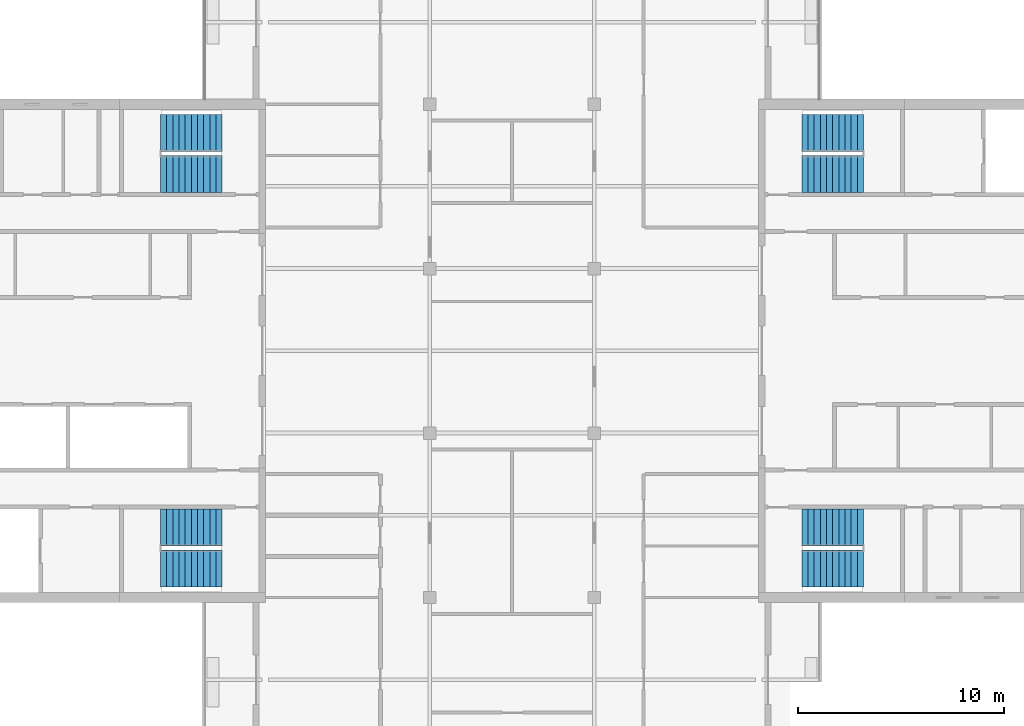
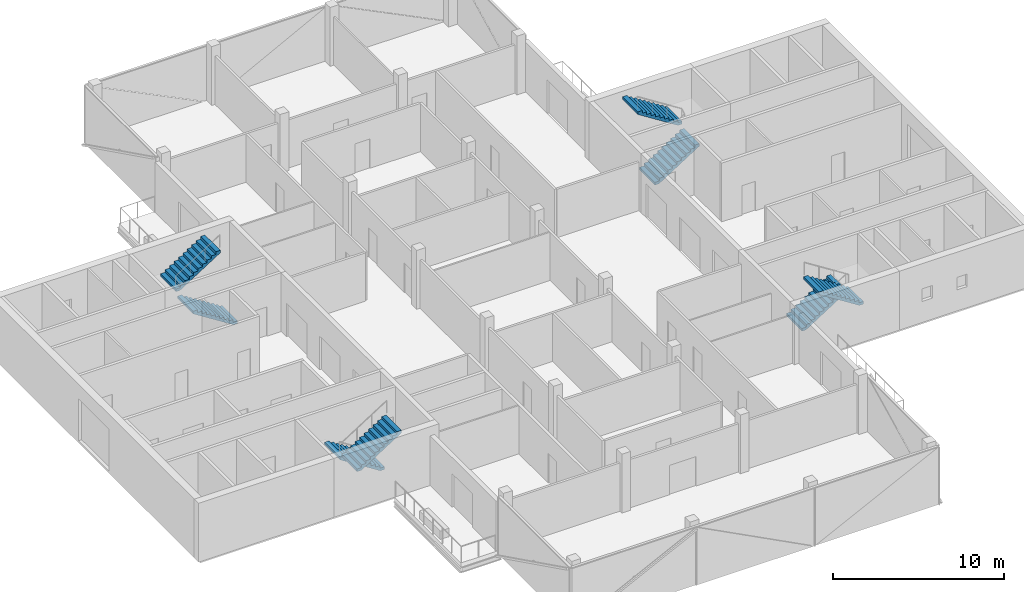
# One storey, part 9 of 12: 8 stair flights, 4 elements without a shape of their own.
"""IFC4 building model written with IfcOpenShell, lengths in metres."""

from ifc_helpers import new_model, si_unit, direction, frame, origin, place, context, subcontext, project, spatial, polyline, outline, extrude, material, type_object, element, aggregate, save


model = new_model("IFC4")

# Units and contexts
model_context = context("Model", 3, precision=1e-05, world=origin(), true_north=direction((0.0, 1.0)))
body_context = subcontext(model_context, "Body", "Model", "MODEL_VIEW")
ifc_project = project(units=[si_unit("LENGTHUNIT", "METRE"), si_unit("AREAUNIT", "SQUARE_METRE"), si_unit("VOLUMEUNIT", "CUBIC_METRE"), si_unit("PLANEANGLEUNIT", "RADIAN"), si_unit("MASSUNIT", "GRAM", prefix="KILO")], contexts=[model_context])

# Site, building, storey
site_placement = place(None, origin())
site = spatial("IfcSite", under=ifc_project, at=site_placement, CompositionType="ELEMENT")
building_placement = place(site_placement, origin())
building = spatial("IfcBuilding", under=site, at=building_placement, Name="Crosswind Convention Tower", CompositionType="ELEMENT")
storey_placement = place(building_placement, frame((0.0, 0.0, 311.300048828125)))
storey = spatial("IfcBuildingStorey", under=building, at=storey_placement, Name="L67", CompositionType="ELEMENT", Elevation=311.300048828125)

# Stair, stair flights
ifc_material = material(Name="Concrete C40/50", Category="concrete")
stair_type = type_object("IfcStairType", Name="Exit stair 1800 wide, 2 flights of 11 risers", PredefinedType="HALF_TURN_STAIR", material=ifc_material)
stair_1_placement = place(storey_placement, origin())
stair_1 = element("IfcStair", 1, at=stair_1_placement, inside=storey, type_object=stair_type, Name="Exit stair ST1 L67", ObjectType="ST5", PredefinedType="HALF_TURN_STAIR")
stair_flight_type = type_object("IfcStairFlightType", Name="Stair flight 1800 wide, 11 risers (SF4)", PredefinedType="STRAIGHT", material=ifc_material)
stair_flight_1_placement = place(storey_placement, frame((139.10009765625, 108.60009765625, 0.0), z_axis=(0.0, 0.0, 1.0), x_axis=(1.0, 0.0, 0.0)))
stair_flight_1 = element("IfcStairFlight", 2, at=stair_flight_1_placement, type_object=stair_flight_type, Name="ST1 flight 1", NumberOfRisers=11, NumberOfTreads=10, PredefinedType="STRAIGHT", RiserHeight=0.190909091, TreadLength=0.3, context=body_context, shape_type="SweptSolid", body=[
    extrude(outline(polyline([(0.0, 0.0), (0.0, 0.19091796875), (0.300048828125, 0.19091796875), (0.300048828125, 0.3818359375), (0.60009765625, 0.3818359375), (0.60009765625, 0.57275390625), (0.89990234375, 0.57275390625), (0.89990234375, 0.763671875), (1.199951171875, 0.763671875), (1.199951171875, 0.95458984375), (1.5, 0.95458984375), (1.5, 1.1455078125), (1.800048828125, 1.1455078125), (1.800048828125, 1.33642578125), (2.10009765625, 1.33642578125), (2.10009765625, 1.52734375), (2.39990234375, 1.52734375), (2.39990234375, 1.71826171875), (2.699951171875, 1.71826171875), (2.699951171875, 1.9091796875), (3.0, 1.9091796875), (3.0, 2.10009765625), (3.0, 1.7314453125), (0.279296875, 0.0), (0.0, 0.0)])), frame((0.0, 0.89990234375, 0.0), z_axis=(0.0, -1.0, 0.0), x_axis=(1.0, 0.0, 0.0)), (0.0, 0.0, 1.0), 1.800048828125),
])
stair_flight_2_placement = place(storey_placement, frame((142.10009765625, 110.60009765625, 2.099853515625), z_axis=(0.0, 0.0, 1.0), x_axis=(-1.0, 0.0, 0.0)))
stair_flight_2 = element("IfcStairFlight", 3, at=stair_flight_2_placement, type_object=stair_flight_type, Name="ST1 flight 2", NumberOfRisers=11, NumberOfTreads=10, PredefinedType="STRAIGHT", RiserHeight=0.190909091, TreadLength=0.3, context=body_context, shape_type="SweptSolid", body=[
    extrude(outline(polyline([(0.0, 0.0), (0.0, 0.19091796875), (0.300048828125, 0.19091796875), (0.300048828125, 0.3818359375), (0.60009765625, 0.3818359375), (0.60009765625, 0.57275390625), (0.89990234375, 0.57275390625), (0.89990234375, 0.763671875), (1.199951171875, 0.763671875), (1.199951171875, 0.95458984375), (1.5, 0.95458984375), (1.5, 1.1455078125), (1.800048828125, 1.1455078125), (1.800048828125, 1.33642578125), (2.10009765625, 1.33642578125), (2.10009765625, 1.52734375), (2.39990234375, 1.52734375), (2.39990234375, 1.71826171875), (2.699951171875, 1.71826171875), (2.699951171875, 1.9091796875), (3.0, 1.9091796875), (3.0, 2.10009765625), (3.0, 1.7314453125), (0.279296875, 0.0), (0.0, 0.0)])), frame((0.0, 0.89990234375, 0.0), z_axis=(0.0, -1.0, 0.0), x_axis=(1.0, 0.0, 0.0)), (0.0, 0.0, 1.0), 1.800048828125),
])
aggregate(stair_1, [stair_flight_1, stair_flight_2])

stair_2_placement = place(storey_placement, origin())
stair_2 = element("IfcStair", 4, at=stair_2_placement, inside=storey, type_object=stair_type, Name="Exit stair ST2 L67", ObjectType="ST5", PredefinedType="HALF_TURN_STAIR")
stair_flight_3_placement = place(storey_placement, frame((139.10009765625, 91.39990234375, 0.0), z_axis=(0.0, 0.0, 1.0), x_axis=(1.0, 0.0, 0.0)))
stair_flight_3 = element("IfcStairFlight", 5, at=stair_flight_3_placement, type_object=stair_flight_type, Name="ST2 flight 1", NumberOfRisers=11, NumberOfTreads=10, PredefinedType="STRAIGHT", RiserHeight=0.190909091, TreadLength=0.3, context=body_context, shape_type="SweptSolid", body=[
    extrude(outline(polyline([(0.0, 0.0), (0.0, 0.19091796875), (0.300048828125, 0.19091796875), (0.300048828125, 0.3818359375), (0.60009765625, 0.3818359375), (0.60009765625, 0.57275390625), (0.89990234375, 0.57275390625), (0.89990234375, 0.763671875), (1.199951171875, 0.763671875), (1.199951171875, 0.95458984375), (1.5, 0.95458984375), (1.5, 1.1455078125), (1.800048828125, 1.1455078125), (1.800048828125, 1.33642578125), (2.10009765625, 1.33642578125), (2.10009765625, 1.52734375), (2.39990234375, 1.52734375), (2.39990234375, 1.71826171875), (2.699951171875, 1.71826171875), (2.699951171875, 1.9091796875), (3.0, 1.9091796875), (3.0, 2.10009765625), (3.0, 1.7314453125), (0.279296875, 0.0), (0.0, 0.0)])), frame((0.0, 0.89990234375, 0.0), z_axis=(0.0, -1.0, 0.0), x_axis=(1.0, 0.0, 0.0)), (0.0, 0.0, 1.0), 1.800048828125),
])
stair_flight_4_placement = place(storey_placement, frame((142.10009765625, 89.39990234375, 2.099853515625), z_axis=(0.0, 0.0, 1.0), x_axis=(-1.0, 0.0, 0.0)))
stair_flight_4 = element("IfcStairFlight", 6, at=stair_flight_4_placement, type_object=stair_flight_type, Name="ST2 flight 2", NumberOfRisers=11, NumberOfTreads=10, PredefinedType="STRAIGHT", RiserHeight=0.190909091, TreadLength=0.3, context=body_context, shape_type="SweptSolid", body=[
    extrude(outline(polyline([(0.0, 0.0), (0.0, 0.19091796875), (0.300048828125, 0.19091796875), (0.300048828125, 0.3818359375), (0.60009765625, 0.3818359375), (0.60009765625, 0.57275390625), (0.89990234375, 0.57275390625), (0.89990234375, 0.763671875), (1.199951171875, 0.763671875), (1.199951171875, 0.95458984375), (1.5, 0.95458984375), (1.5, 1.1455078125), (1.800048828125, 1.1455078125), (1.800048828125, 1.33642578125), (2.10009765625, 1.33642578125), (2.10009765625, 1.52734375), (2.39990234375, 1.52734375), (2.39990234375, 1.71826171875), (2.699951171875, 1.71826171875), (2.699951171875, 1.9091796875), (3.0, 1.9091796875), (3.0, 2.10009765625), (3.0, 1.7314453125), (0.279296875, 0.0), (0.0, 0.0)])), frame((0.0, 0.89990234375, 0.0), z_axis=(0.0, -1.0, 0.0), x_axis=(1.0, 0.0, 0.0)), (0.0, 0.0, 1.0), 1.800048828125),
])
aggregate(stair_2, [stair_flight_3, stair_flight_4])

stair_3_placement = place(storey_placement, origin())
stair_3 = element("IfcStair", 7, at=stair_3_placement, inside=storey, type_object=stair_type, Name="Exit stair ST3 L67", ObjectType="ST5", PredefinedType="HALF_TURN_STAIR")
stair_flight_5_placement = place(storey_placement, frame((110.89990234375, 91.39990234375, 0.0), z_axis=(0.0, 0.0, 1.0), x_axis=(-1.0, 0.0, 0.0)))
stair_flight_5 = element("IfcStairFlight", 8, at=stair_flight_5_placement, type_object=stair_flight_type, Name="ST3 flight 1", NumberOfRisers=11, NumberOfTreads=10, PredefinedType="STRAIGHT", RiserHeight=0.190909091, TreadLength=0.3, context=body_context, shape_type="SweptSolid", body=[
    extrude(outline(polyline([(0.0, 0.0), (0.0, 0.19091796875), (0.300048828125, 0.19091796875), (0.300048828125, 0.3818359375), (0.60009765625, 0.3818359375), (0.60009765625, 0.57275390625), (0.89990234375, 0.57275390625), (0.89990234375, 0.763671875), (1.199951171875, 0.763671875), (1.199951171875, 0.95458984375), (1.5, 0.95458984375), (1.5, 1.1455078125), (1.800048828125, 1.1455078125), (1.800048828125, 1.33642578125), (2.10009765625, 1.33642578125), (2.10009765625, 1.52734375), (2.39990234375, 1.52734375), (2.39990234375, 1.71826171875), (2.699951171875, 1.71826171875), (2.699951171875, 1.9091796875), (3.0, 1.9091796875), (3.0, 2.10009765625), (3.0, 1.7314453125), (0.279296875, 0.0), (0.0, 0.0)])), frame((0.0, 0.89990234375, 0.0), z_axis=(0.0, -1.0, 0.0), x_axis=(1.0, 0.0, 0.0)), (0.0, 0.0, 1.0), 1.800048828125),
])
stair_flight_6_placement = place(storey_placement, frame((107.89990234375, 89.39990234375, 2.099853515625), z_axis=(0.0, 0.0, 1.0), x_axis=(1.0, 0.0, 0.0)))
stair_flight_6 = element("IfcStairFlight", 9, at=stair_flight_6_placement, type_object=stair_flight_type, Name="ST3 flight 2", NumberOfRisers=11, NumberOfTreads=10, PredefinedType="STRAIGHT", RiserHeight=0.190909091, TreadLength=0.3, context=body_context, shape_type="SweptSolid", body=[
    extrude(outline(polyline([(0.0, 0.0), (0.0, 0.19091796875), (0.300048828125, 0.19091796875), (0.300048828125, 0.3818359375), (0.60009765625, 0.3818359375), (0.60009765625, 0.57275390625), (0.89990234375, 0.57275390625), (0.89990234375, 0.763671875), (1.199951171875, 0.763671875), (1.199951171875, 0.95458984375), (1.5, 0.95458984375), (1.5, 1.1455078125), (1.800048828125, 1.1455078125), (1.800048828125, 1.33642578125), (2.10009765625, 1.33642578125), (2.10009765625, 1.52734375), (2.39990234375, 1.52734375), (2.39990234375, 1.71826171875), (2.699951171875, 1.71826171875), (2.699951171875, 1.9091796875), (3.0, 1.9091796875), (3.0, 2.10009765625), (3.0, 1.7314453125), (0.279296875, 0.0), (0.0, 0.0)])), frame((0.0, 0.89990234375, 0.0), z_axis=(0.0, -1.0, 0.0), x_axis=(1.0, 0.0, 0.0)), (0.0, 0.0, 1.0), 1.800048828125),
])
aggregate(stair_3, [stair_flight_5, stair_flight_6])

stair_4_placement = place(storey_placement, origin())
stair_4 = element("IfcStair", 10, at=stair_4_placement, inside=storey, type_object=stair_type, Name="Exit stair ST4 L67", ObjectType="ST5", PredefinedType="HALF_TURN_STAIR")
stair_flight_7_placement = place(storey_placement, frame((110.89990234375, 108.60009765625, 0.0), z_axis=(0.0, 0.0, 1.0), x_axis=(-1.0, 0.0, 0.0)))
stair_flight_7 = element("IfcStairFlight", 11, at=stair_flight_7_placement, type_object=stair_flight_type, Name="ST4 flight 1", NumberOfRisers=11, NumberOfTreads=10, PredefinedType="STRAIGHT", RiserHeight=0.190909091, TreadLength=0.3, context=body_context, shape_type="SweptSolid", body=[
    extrude(outline(polyline([(0.0, 0.0), (0.0, 0.19091796875), (0.300048828125, 0.19091796875), (0.300048828125, 0.3818359375), (0.60009765625, 0.3818359375), (0.60009765625, 0.57275390625), (0.89990234375, 0.57275390625), (0.89990234375, 0.763671875), (1.199951171875, 0.763671875), (1.199951171875, 0.95458984375), (1.5, 0.95458984375), (1.5, 1.1455078125), (1.800048828125, 1.1455078125), (1.800048828125, 1.33642578125), (2.10009765625, 1.33642578125), (2.10009765625, 1.52734375), (2.39990234375, 1.52734375), (2.39990234375, 1.71826171875), (2.699951171875, 1.71826171875), (2.699951171875, 1.9091796875), (3.0, 1.9091796875), (3.0, 2.10009765625), (3.0, 1.7314453125), (0.279296875, 0.0), (0.0, 0.0)])), frame((0.0, 0.89990234375, 0.0), z_axis=(0.0, -1.0, 0.0), x_axis=(1.0, 0.0, 0.0)), (0.0, 0.0, 1.0), 1.800048828125),
])
stair_flight_8_placement = place(storey_placement, frame((107.89990234375, 110.60009765625, 2.099853515625), z_axis=(0.0, 0.0, 1.0), x_axis=(1.0, 0.0, 0.0)))
stair_flight_8 = element("IfcStairFlight", 12, at=stair_flight_8_placement, type_object=stair_flight_type, Name="ST4 flight 2", NumberOfRisers=11, NumberOfTreads=10, PredefinedType="STRAIGHT", RiserHeight=0.190909091, TreadLength=0.3, context=body_context, shape_type="SweptSolid", body=[
    extrude(outline(polyline([(0.0, 0.0), (0.0, 0.19091796875), (0.300048828125, 0.19091796875), (0.300048828125, 0.3818359375), (0.60009765625, 0.3818359375), (0.60009765625, 0.57275390625), (0.89990234375, 0.57275390625), (0.89990234375, 0.763671875), (1.199951171875, 0.763671875), (1.199951171875, 0.95458984375), (1.5, 0.95458984375), (1.5, 1.1455078125), (1.800048828125, 1.1455078125), (1.800048828125, 1.33642578125), (2.10009765625, 1.33642578125), (2.10009765625, 1.52734375), (2.39990234375, 1.52734375), (2.39990234375, 1.71826171875), (2.699951171875, 1.71826171875), (2.699951171875, 1.9091796875), (3.0, 1.9091796875), (3.0, 2.10009765625), (3.0, 1.7314453125), (0.279296875, 0.0), (0.0, 0.0)])), frame((0.0, 0.89990234375, 0.0), z_axis=(0.0, -1.0, 0.0), x_axis=(1.0, 0.0, 0.0)), (0.0, 0.0, 1.0), 1.800048828125),
])
aggregate(stair_4, [stair_flight_7, stair_flight_8])

save(model, "model.ifc")
